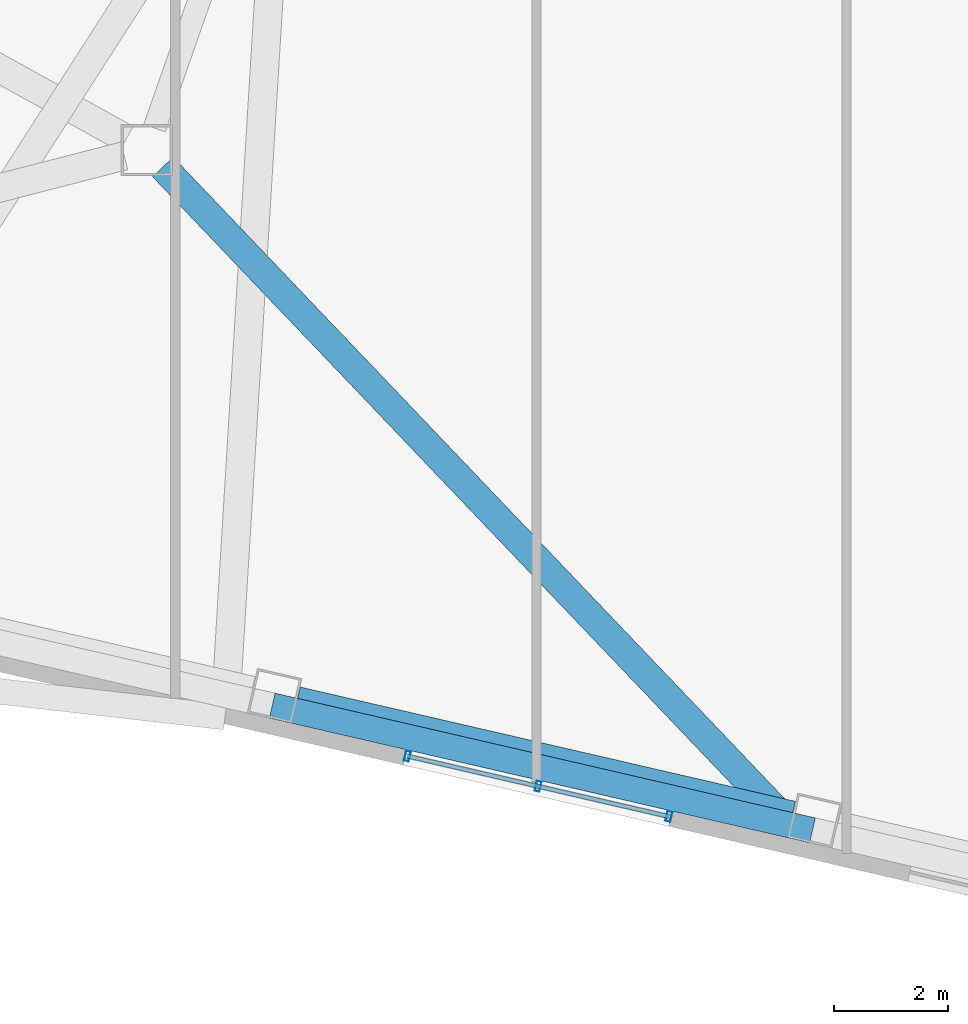
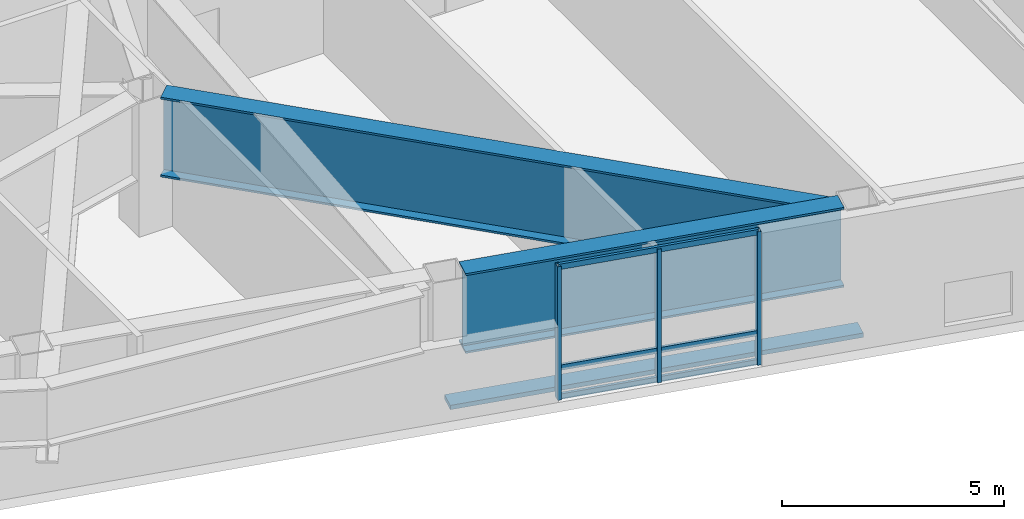
# One storey, part 2 of 19: 7 members, 2 beams, 1 element without a shape of its own.
"""IFC4 building model written with IfcOpenShell, lengths in metres."""

from ifc_helpers import new_model, si_unit, direction, frame, origin, origin_2d, place, context, subcontext, project, spatial, rectangle, hollow_rectangle, i_section, extrude, material, layer, layer_set, material_profile, profile_set, type_object, element, aggregate, save


model = new_model("IFC4")

# Units and contexts
model_context = context("Model", 3, precision=1e-05, world=origin(), true_north=direction((0.0, 1.0)))
body_context = subcontext(model_context, "Body", "Model", "MODEL_VIEW")
ifc_project = project(units=[si_unit("LENGTHUNIT", "METRE"), si_unit("AREAUNIT", "SQUARE_METRE"), si_unit("VOLUMEUNIT", "CUBIC_METRE"), si_unit("PLANEANGLEUNIT", "RADIAN"), si_unit("MASSUNIT", "GRAM", prefix="KILO")], contexts=[model_context])

# Site, building, storey
site_placement = place(None, origin())
site = spatial("IfcSite", under=ifc_project, at=site_placement, CompositionType="ELEMENT")
building_placement = place(site_placement, origin())
building = spatial("IfcBuilding", under=site, at=building_placement, Name="Tavrogorsk Clinical Tower", CompositionType="ELEMENT")
storey_placement = place(building_placement, frame((0.0, 0.0, 79.39990234375)))
storey = spatial("IfcBuildingStorey", under=building, at=storey_placement, Name="L17", CompositionType="ELEMENT", Elevation=79.39990234375)

# Member
ifc_material_1 = material(Name="Anodised aluminium alloy AW-6063", Category="aluminium")
ifc_material_profile_1 = material_profile(ifc_material_1, rectangle(XDim=0.449951171875, YDim=0.1201171875, at=origin_2d()), Name="ALU-SUNSHADE-450x120")
ifc_profile_set_1 = profile_set([ifc_material_profile_1], Name="Anodised aluminium alloy AW-6063")
member_type_1 = type_object("IfcMemberType", Name="ChicagoSunshade_450x120", PredefinedType="USERDEFINED", material=ifc_profile_set_1)
member_1_placement = place(storey_placement, frame((-22.29443359375, -22.96728515625, 0.18017578125), z_axis=(0.97437219846, -0.224941812182, 0.0), x_axis=(0.224941812182, 0.97437219846, 0.0)))
element("IfcMember", 1, at=member_1_placement, inside=storey, type_object=member_type_1, Name="L17 South Aluminium Sunshade S3", ObjectType="SUNSHADE", PredefinedType="USERDEFINED", context=body_context, shape_type="SweptSolid", body=[
    extrude(rectangle(XDim=0.449951171875, YDim=0.1201171875, at=origin_2d()), origin(), (0.0, 0.0, 1.0), 9.74853515625),
])

# Curtain wall, members
ifc_material_2 = material(Name="Anodised aluminium and triple IGU glazing", Category="aluminium")
ifc_layer = layer(ifc_material_2, 0.179931640625)
ifc_layer_set = layer_set([ifc_layer], Name="Anodised aluminium and triple IGU glazing")
curtain_wall_type = type_object("IfcCurtainWallType", Name="CW3_SouthSlot", PredefinedType="NOTDEFINED", material=ifc_layer_set)
curtain_wall_placement = place(storey_placement, origin())
curtain_wall = element("IfcCurtainWall", 2, at=curtain_wall_placement, inside=storey, type_object=curtain_wall_type, Name="L17 Curtain Wall CW-L17-S-SLOT-1", PredefinedType="NOTDEFINED")
ifc_material_3 = material(Name="Anodised aluminium alloy AW-6060", Category="aluminium")
ifc_material_profile_2 = material_profile(ifc_material_3, hollow_rectangle(XDim=0.090087890625, YDim=0.179931640625, WallThickness=0.00634765625, at=origin_2d()), Name="RHS-180x90x6.3")
ifc_profile_set_2 = profile_set([ifc_material_profile_2], Name="Anodised aluminium alloy AW-6060")
member_type_2 = type_object("IfcMemberType", Name="CwMullion_180x90", PredefinedType="MULLION", material=ifc_profile_set_2)
member_2_placement = place(storey_placement, frame((-19.917724609375, -23.8544921875, 0.0), z_axis=(0.0, 0.0, 1.0), x_axis=(0.974370046851, -0.224951132027, 0.0)))
member_2 = element("IfcMember", 3, at=member_2_placement, type_object=member_type_2, Name="CW-L17-S-SLOT-1 Mullion 1", PredefinedType="MULLION", context=body_context, shape_type="SweptSolid", body=[
    extrude(hollow_rectangle(XDim=0.090087890625, YDim=0.179931640625, WallThickness=0.00634765625, at=origin_2d()), origin(), (0.0, 0.0, 1.0), 3.68017578125),
])
member_3_placement = place(storey_placement, frame((-17.619384765625, -24.38525390625, 0.0), z_axis=(0.0, 0.0, 1.0), x_axis=(0.974370046851, -0.224951132027, 0.0)))
member_3 = element("IfcMember", 4, at=member_3_placement, type_object=member_type_2, Name="CW-L17-S-SLOT-1 Mullion 2", PredefinedType="MULLION", context=body_context, shape_type="SweptSolid", body=[
    extrude(hollow_rectangle(XDim=0.090087890625, YDim=0.179931640625, WallThickness=0.00634765625, at=origin_2d()), origin(), (0.0, 0.0, 1.0), 3.68017578125),
])
member_4_placement = place(storey_placement, frame((-15.32080078125, -24.916015625, 0.0), z_axis=(0.0, 0.0, 1.0), x_axis=(0.974370046851, -0.224951132027, 0.0)))
member_4 = element("IfcMember", 5, at=member_4_placement, type_object=member_type_2, Name="CW-L17-S-SLOT-1 Mullion 3", PredefinedType="MULLION", context=body_context, shape_type="SweptSolid", body=[
    extrude(hollow_rectangle(XDim=0.090087890625, YDim=0.179931640625, WallThickness=0.00634765625, at=origin_2d()), origin(), (0.0, 0.0, 1.0), 3.68017578125),
])
ifc_material_4 = material(Name="Anodised aluminium alloy AW-6060", Category="aluminium")
ifc_material_profile_3 = material_profile(ifc_material_4, hollow_rectangle(XDim=0.074951171875, YDim=0.14990234375, WallThickness=0.0048828125, at=origin_2d()), Name="RHS-150x75x5")
ifc_profile_set_3 = profile_set([ifc_material_profile_3], Name="Anodised aluminium alloy AW-6060")
member_type_3 = type_object("IfcMemberType", Name="CwTransom_150x75", PredefinedType="USERDEFINED", material=ifc_profile_set_3)
member_5_placement = place(storey_placement, frame((-19.917724609375, -23.8544921875, 0.050048828125), z_axis=(0.974358915979, -0.224999339672, 0.0), x_axis=(0.224999339672, 0.974358915979, 0.0)))
member_5 = element("IfcMember", 6, at=member_5_placement, type_object=member_type_3, Name="CW-L17-S-SLOT-1 Transom 1", ObjectType="TRANSOM", PredefinedType="USERDEFINED", context=body_context, shape_type="SweptSolid", body=[
    extrude(hollow_rectangle(XDim=0.074951171875, YDim=0.14990234375, WallThickness=0.0048828125, at=origin_2d()), origin(), (0.0, 0.0, 1.0), 4.718017578125),
])
member_6_placement = place(storey_placement, frame((-19.917724609375, -23.8544921875, 0.85009765625), z_axis=(0.974358915979, -0.224999339672, 0.0), x_axis=(0.224999339672, 0.974358915979, 0.0)))
member_6 = element("IfcMember", 7, at=member_6_placement, type_object=member_type_3, Name="CW-L17-S-SLOT-1 Transom 2", ObjectType="TRANSOM", PredefinedType="USERDEFINED", context=body_context, shape_type="SweptSolid", body=[
    extrude(hollow_rectangle(XDim=0.074951171875, YDim=0.14990234375, WallThickness=0.0048828125, at=origin_2d()), origin(), (0.0, 0.0, 1.0), 4.718017578125),
])
member_7_placement = place(storey_placement, frame((-19.917724609375, -23.8544921875, 3.630126953125), z_axis=(0.974358915979, -0.224999339672, 0.0), x_axis=(0.224999339672, 0.974358915979, 0.0)))
member_7 = element("IfcMember", 8, at=member_7_placement, type_object=member_type_3, Name="CW-L17-S-SLOT-1 Transom 3", ObjectType="TRANSOM", PredefinedType="USERDEFINED", context=body_context, shape_type="SweptSolid", body=[
    extrude(hollow_rectangle(XDim=0.074951171875, YDim=0.14990234375, WallThickness=0.0048828125, at=origin_2d()), origin(), (0.0, 0.0, 1.0), 4.718017578125),
])
aggregate(curtain_wall, [member_2, member_3, member_4, member_5, member_6, member_7])

# Beams
ifc_material_5 = material(Name="Structural steel S440", Category="steel")
ifc_material_profile_4 = material_profile(ifc_material_5, i_section(OverallWidth=0.5, OverallDepth=2.199951171875, WebThickness=0.035888671875, FlangeThickness=0.054931640625, at=origin_2d()), Name="DK-2200x500x36x55")
ifc_profile_set_4 = profile_set([ifc_material_profile_4], Name="Structural steel S440")
beam_type = type_object("IfcBeamType", Name="TransferGirder_DK2200", PredefinedType="USERDEFINED", material=ifc_profile_set_4)
beam_1_placement = place(storey_placement, frame((-21.8564453125, -22.8837890625, 2.580078125), z_axis=(0.974372766602, -0.224939351168, 0.0), x_axis=(0.224939351168, 0.974372766602, 0.0)))
element("IfcBeam", 9, at=beam_1_placement, inside=storey, type_object=beam_type, Name="L17 Perimeter Spandrel S3-S4", ObjectType="GIRDER", PredefinedType="USERDEFINED", context=body_context, shape_type="SweptSolid", body=[
    extrude(i_section(OverallWidth=0.5, OverallDepth=2.199951171875, WebThickness=0.035888671875, FlangeThickness=0.054931640625, at=origin_2d()), origin(), (0.0, 0.0, 1.0), 8.9326171875),
])
beam_2_placement = place(storey_placement, frame((-24.217041015625, -13.496826171875, 2.580078125), z_axis=(0.689999948632, -0.723809416137, 0.0), x_axis=(0.723809416137, 0.689999948632, 0.0)))
element("IfcBeam", 10, at=beam_2_placement, inside=storey, type_object=beam_type, Name="L18 Block Transfer Girder S3", ObjectType="GIRDER", PredefinedType="USERDEFINED", context=body_context, shape_type="SweptSolid", body=[
    extrude(i_section(OverallWidth=0.5, OverallDepth=2.199951171875, WebThickness=0.035888671875, FlangeThickness=0.054931640625, at=origin_2d()), origin(), (0.0, 0.0, 1.0), 15.66259765625),
])

save(model, "model.ifc")
